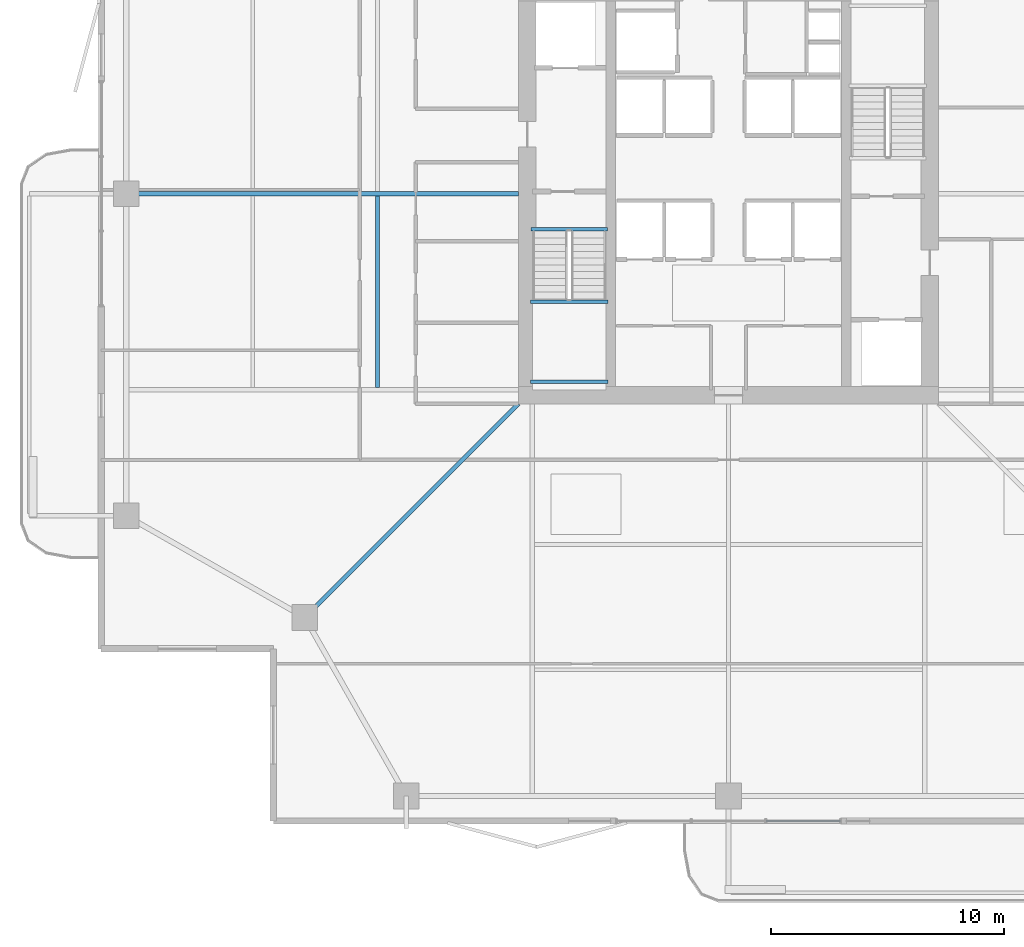
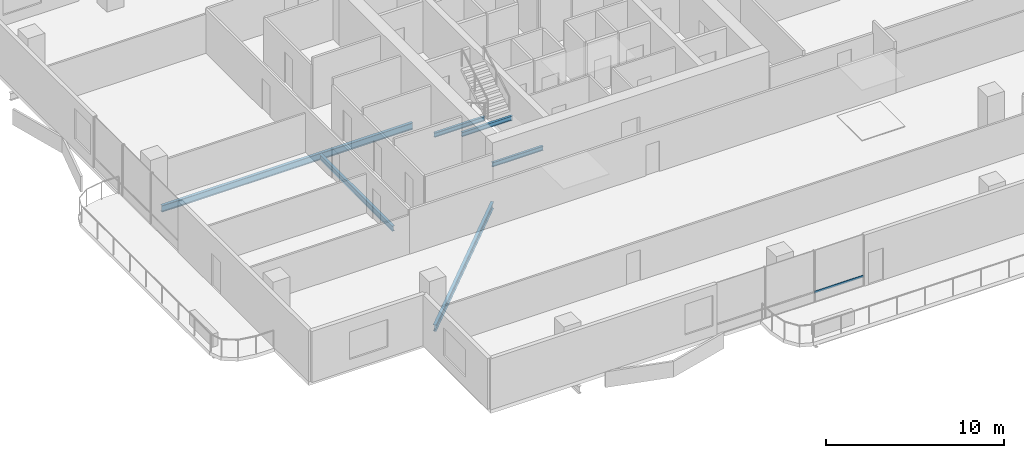
# One storey, part 5 of 24: 6 beams, 1 member, 1 element without a shape of its own.
"""IFC4 building model written with IfcOpenShell, lengths in metres."""

from ifc_helpers import new_model, si_unit, direction, frame, origin, origin_2d, place, context, subcontext, project, spatial, hollow_rectangle, i_section, extrude, material, layer, layer_set, material_profile, profile_set, type_object, element, aggregate, save


model = new_model("IFC4")

# Units and contexts
model_context = context("Model", 3, precision=1e-05, world=origin(), true_north=direction((0.0, 1.0)))
body_context = subcontext(model_context, "Body", "Model", "MODEL_VIEW")
ifc_project = project(units=[si_unit("LENGTHUNIT", "METRE"), si_unit("AREAUNIT", "SQUARE_METRE"), si_unit("VOLUMEUNIT", "CUBIC_METRE"), si_unit("PLANEANGLEUNIT", "RADIAN"), si_unit("MASSUNIT", "GRAM", prefix="KILO")], contexts=[model_context])

# Site, building, storey
site_placement = place(None, origin())
site = spatial("IfcSite", under=ifc_project, at=site_placement, CompositionType="ELEMENT")
building_placement = place(site_placement, origin())
building = spatial("IfcBuilding", under=site, at=building_placement, Name="Belovzor Exchange Tower", CompositionType="ELEMENT")
storey_placement = place(building_placement, frame((0.0, 0.0, 237.449951171875)))
storey = spatial("IfcBuildingStorey", under=building, at=storey_placement, Name="L59", CompositionType="ELEMENT", Elevation=237.449951171875)

# Beams
ifc_material_1 = material(Name="Steel S355", Category="steel")
ifc_material_profile_1 = material_profile(ifc_material_1, i_section(OverallWidth=0.169921875, OverallDepth=0.360107421875, WebThickness=0.008056640625, FlangeThickness=0.0126953125, at=origin_2d()))
ifc_profile_set_1 = profile_set([ifc_material_profile_1], Name="Steel S355")
beam_type_1 = type_object("IfcBeamType", Name="Secondary Infill Floor Joist IPE 360", PredefinedType="BEAM", material=ifc_profile_set_1)
beam_1_placement = place(storey_placement, frame((13.77197265625, 20.4951171875, -0.429931640625), z_axis=(0.0, 1.0, 0.0), x_axis=(-1.0, 0.0, 0.0)))
element("IfcBeam", 1, at=beam_1_placement, inside=storey, type_object=beam_type_1, Name="FJ-360 Secondary Infill Floor Joist IPE 360", PredefinedType="BEAM", context=body_context, shape_type="SweptSolid", body=[
    extrude(i_section(OverallWidth=0.169921875, OverallDepth=0.360107421875, WebThickness=0.008056640625, FlangeThickness=0.0126953125, at=origin_2d()), origin(), (0.0, 0.0, 1.0), 8.2099609375),
])
ifc_material_2 = material(Name="Steel S355", Category="steel")
ifc_material_profile_2 = material_profile(ifc_material_2, i_section(OverallWidth=0.14990234375, OverallDepth=0.300048828125, WebThickness=0.007080078125, FlangeThickness=0.0107421875, at=origin_2d()))
ifc_profile_set_2 = profile_set([ifc_material_profile_2], Name="Steel S355")
beam_type_2 = type_object("IfcBeamType", Name="Secondary Trim Floor Joist IPE 300", PredefinedType="BEAM", material=ifc_profile_set_2)
for number, where, z_axis, x_axis, name in (
    (2, (20.320068359375, 24.179931640625, 1.525146484375), (1.0, 0.0, 0.0), (0.0, 1.0, 0.0), "FJ-300 Secondary Trim Floor Joist IPE 300"),
    (3, (20.320068359375, 20.75, 1.525146484375), (1.0, 0.0, 0.0), (0.0, 1.0, 0.0), "FJ-300 Secondary Trim Floor Joist IPE 300"),
):
    element("IfcBeam", number, at=place(storey_placement, frame(where, z_axis=z_axis, x_axis=x_axis)), inside=storey, type_object=beam_type_2, Name=name, PredefinedType="BEAM", context=body_context, shape_type="SweptSolid", body=[
        extrude(i_section(OverallWidth=0.14990234375, OverallDepth=0.300048828125, WebThickness=0.007080078125, FlangeThickness=0.0107421875, at=origin_2d()), origin(), (0.0, 0.0, 1.0), 3.309814453125),
    ])
beam_2_placement = place(storey_placement, frame((20.340087890625, 27.280029296875, -0.39990234375), z_axis=(1.0, 0.0, 0.0), x_axis=(0.0, 1.0, 0.0)))
element("IfcBeam", 4, at=beam_2_placement, inside=storey, type_object=beam_type_2, Name="FJ-300 Secondary Trim Floor Joist IPE 300", PredefinedType="BEAM", context=body_context, shape_type="SweptSolid", body=[
    extrude(i_section(OverallWidth=0.14990234375, OverallDepth=0.300048828125, WebThickness=0.007080078125, FlangeThickness=0.0107421875, at=origin_2d()), origin(), (0.0, 0.0, 1.0), 3.27001953125),
])

# Curtain wall, member
ifc_material_3 = material(Name="Anodised Aluminium Framing", Category="aluminium")
ifc_layer = layer(ifc_material_3, 0.179931640625)
ifc_layer_set = layer_set([ifc_layer], Name="Anodised Aluminium Framing")
curtain_wall_type = type_object("IfcCurtainWallType", Name="Recessed Loggia Low-Iron Triple-Glazed Curtain Wall", PredefinedType="NOTDEFINED", material=ifc_layer_set)
curtain_wall_placement = place(storey_placement, origin())
curtain_wall = element("IfcCurtainWall", 5, at=curtain_wall_placement, inside=storey, type_object=curtain_wall_type, Name="CW3 Recessed Loggia Low-Iron Triple-Glazed Curtain Wall L59", PredefinedType="NOTDEFINED")
ifc_material_4 = material(Name="Steel S355", Category="steel")
ifc_material_profile_3 = material_profile(ifc_material_4, hollow_rectangle(XDim=0.06005859375, YDim=0.14990234375, WallThickness=0.00390625, at=origin_2d()))
ifc_profile_set_3 = profile_set([ifc_material_profile_3], Name="Steel S355")
member_type = type_object("IfcMemberType", Name="Thermally Broken Curtain Wall Transom 150x60", PredefinedType="USERDEFINED", material=ifc_profile_set_3)
member_placement = place(storey_placement, frame((33.592041015625, 1.929931640625, 0.630126953125), z_axis=(-1.0, 0.0, 0.0), x_axis=(0.0, -1.0, 0.0)))
member = element("IfcMember", 6, at=member_placement, type_object=member_type, Name="CW-T150 Curtain Wall Transom 1", ObjectType="TRANSOM", PredefinedType="USERDEFINED", context=body_context, shape_type="SweptSolid", body=[
    extrude(hollow_rectangle(XDim=0.06005859375, YDim=0.14990234375, WallThickness=0.00390625, at=origin_2d()), origin(), (0.0, 0.0, 1.0), 3.18408203125),
])
aggregate(curtain_wall, [member])

# Beams
ifc_material_5 = material(Name="Steel S355", Category="steel")
ifc_material_profile_4 = material_profile(ifc_material_5, i_section(OverallWidth=0.18994140625, OverallDepth=0.449951171875, WebThickness=0.009521484375, FlangeThickness=0.0146484375, at=origin_2d()))
ifc_profile_set_4 = profile_set([ifc_material_profile_4], Name="Steel S355")
beam_type_3 = type_object("IfcBeamType", Name="Zone 2-4 Radial Composite Floor Beam IPE 450", PredefinedType="BEAM", material=ifc_profile_set_4)
beam_3_placement = place(storey_placement, frame((19.800048828125, 28.800048828125, -0.474853515625), z_axis=(-1.0, 0.0, 0.0), x_axis=(0.0, -1.0, 0.0)))
element("IfcBeam", 7, at=beam_3_placement, inside=storey, type_object=beam_type_3, Name="FB-450 Zone 2-4 Radial Composite Floor Beam IPE 450", PredefinedType="BEAM", context=body_context, shape_type="SweptSolid", body=[
    extrude(i_section(OverallWidth=0.18994140625, OverallDepth=0.449951171875, WebThickness=0.009521484375, FlangeThickness=0.0146484375, at=origin_2d()), origin(), (0.0, 0.0, 1.0), 16.316162109375),
])
beam_4_placement = place(storey_placement, frame((19.800048828125, 19.800048828125, -0.474853515625), z_axis=(-0.707106781187, -0.707106781187, 0.0), x_axis=(0.707106781187, -0.707106781187, 0.0)))
element("IfcBeam", 8, at=beam_4_placement, inside=storey, type_object=beam_type_3, Name="FB-450 Zone 2-4 Radial Composite Floor Beam IPE 450", PredefinedType="BEAM", context=body_context, shape_type="SweptSolid", body=[
    extrude(i_section(OverallWidth=0.18994140625, OverallDepth=0.449951171875, WebThickness=0.009521484375, FlangeThickness=0.0146484375, at=origin_2d()), origin(), (0.0, 0.0, 1.0), 12.551025390625),
])

save(model, "model.ifc")
